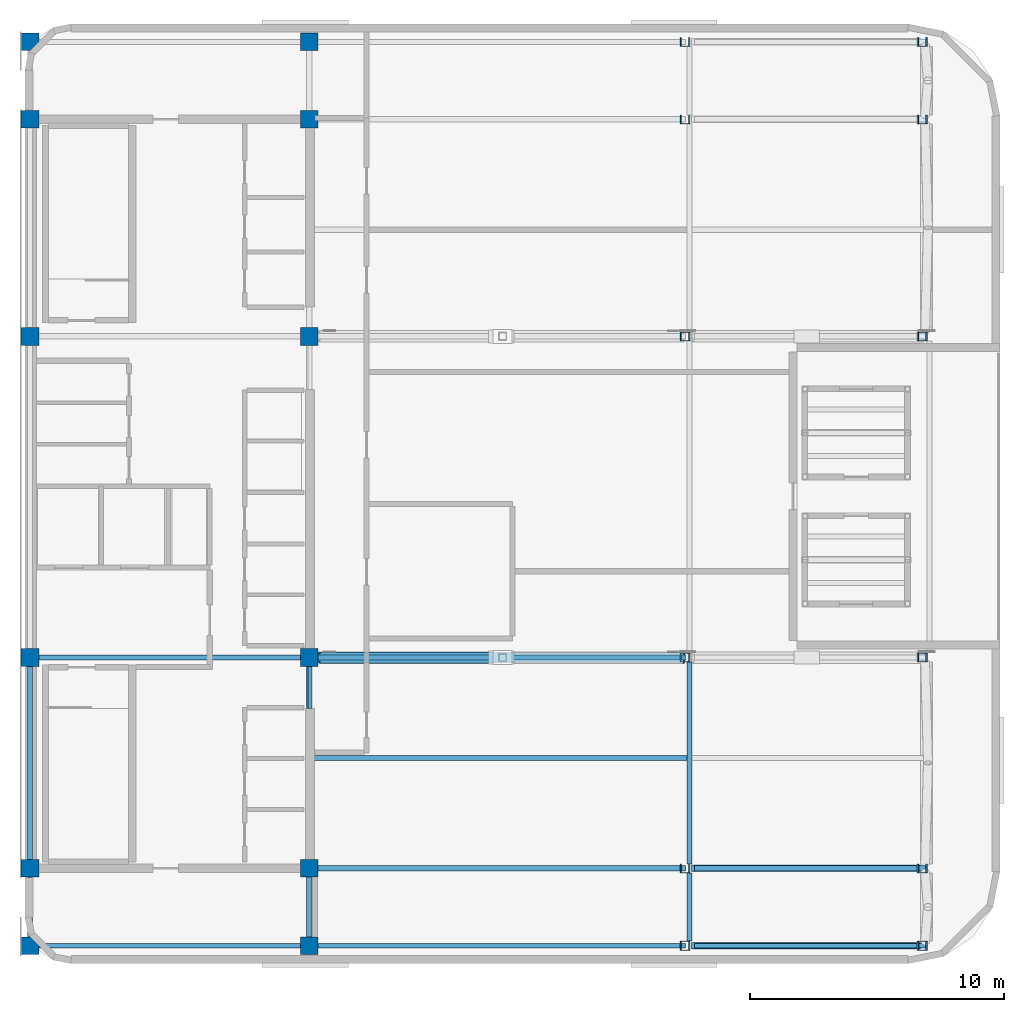
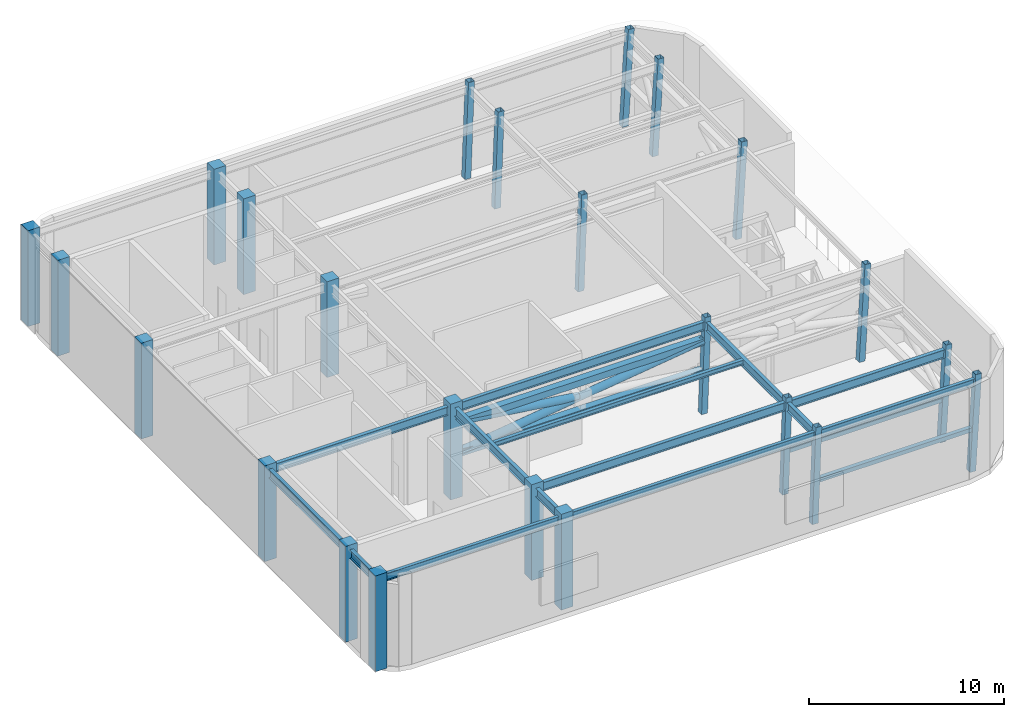
# One storey, part 1 of 12: 24 columns, 15 beams, 6 members.
"""IFC4 building model written with IfcOpenShell, lengths in metres."""

from ifc_helpers import new_model, si_unit, direction, frame, origin, origin_2d, place, context, subcontext, project, spatial, rectangle, hollow_rectangle, hollow_circle, i_section, extrude, material, material_profile, profile_set, type_object, element, save


model = new_model("IFC4")

# Units and contexts
model_context = context("Model", 3, precision=1e-05, world=origin(), true_north=direction((0.0, 1.0)))
body_context = subcontext(model_context, "Body", "Model", "MODEL_VIEW")
ifc_project = project(units=[si_unit("LENGTHUNIT", "METRE"), si_unit("AREAUNIT", "SQUARE_METRE"), si_unit("VOLUMEUNIT", "CUBIC_METRE"), si_unit("PLANEANGLEUNIT", "RADIAN"), si_unit("MASSUNIT", "GRAM", prefix="KILO")], contexts=[model_context])

# Site, building, storey
site_placement = place(None, origin())
site = spatial("IfcSite", under=ifc_project, at=site_placement, CompositionType="ELEMENT")
building_placement = place(site_placement, origin())
building = spatial("IfcBuilding", under=site, at=building_placement, Name="Ochreholt Gables", CompositionType="ELEMENT")
storey_placement = place(building_placement, frame((0.0, 0.0, 287.0)))
storey = spatial("IfcBuildingStorey", under=building, at=storey_placement, Name="L75", CompositionType="ELEMENT", Elevation=287.0)

# Columns
ifc_material_1 = material(Name="Steel CSA G40.21 350W", Category="steel")
ifc_material_profile_1 = material_profile(ifc_material_1, hollow_rectangle(XDim=0.35595703125, YDim=0.35595703125, WallThickness=0.01611328125, at=origin_2d()), Name="HSS356X356X16")
ifc_profile_set_1 = profile_set([ifc_material_profile_1], Name="Steel CSA G40.21 350W")
column_type_1 = type_object("IfcColumnType", Name="COL-HSS356-RAK", PredefinedType="COLUMN", material=ifc_profile_set_1)
for number, where, z_axis, x_axis, name in (
    (1, (49.98095703125, 9.25, 0.0), (0.034994838926, 0.0, 0.999387493042), (0.0, 1.0, 0.0), "L75 Column EMY2"),
    (2, (49.98095703125, 17.550048828125, 0.0), (0.034994838926, 0.0, 0.999387493042), (0.0, 1.0, 0.0), "L75 Column EMY3"),
    (3, (49.98095703125, 30.199951171875, 0.0), (0.034994838926, 0.0, 0.999387493042), (0.0, 1.0, 0.0), "L75 Column EMY4"),
    (4, (49.98095703125, 38.75, 0.0), (0.034994838926, 0.0, 0.999387493042), (0.0, 1.0, 0.0), "L75 Column EMY5"),
):
    element("IfcColumn", number, at=place(storey_placement, frame(where, z_axis=z_axis, x_axis=x_axis)), inside=storey, type_object=column_type_1, Name=name, PredefinedType="COLUMN", context=body_context, shape_type="SweptSolid", body=[
        extrude(hollow_rectangle(XDim=0.35595703125, YDim=0.35595703125, WallThickness=0.01611328125, at=origin_2d()), origin(), (0.0, 0.0, 1.0), 5.999755859375),
    ])
ifc_material_profile_2 = material_profile(ifc_material_1, hollow_rectangle(XDim=0.35595703125, YDim=0.35595703125, WallThickness=0.01611328125, at=origin_2d()), Name="HSS356X356X16")
ifc_profile_set_2 = profile_set([ifc_material_profile_2], Name="Steel CSA G40.21 350W")
column_type_2 = type_object("IfcColumnType", Name="COL-HSS356-RAKE", PredefinedType="COLUMN", material=ifc_profile_set_2)
for number, where, z_axis, x_axis, name in (
    (5, (49.98095703125, 6.199951171875, 0.0), (0.034994838926, 0.0, 0.999387493042), (0.0, 1.0, 0.0), "L75 Column EMY1"),
    (6, (49.98095703125, 41.800048828125, 0.0), (0.034994838926, 0.0, 0.999387493042), (0.0, 1.0, 0.0), "L75 Column EMY6"),
):
    element("IfcColumn", number, at=place(storey_placement, frame(where, z_axis=z_axis, x_axis=x_axis)), inside=storey, type_object=column_type_2, Name=name, PredefinedType="COLUMN", context=body_context, shape_type="SweptSolid", body=[
        extrude(hollow_rectangle(XDim=0.35595703125, YDim=0.35595703125, WallThickness=0.01611328125, at=origin_2d()), origin(), (0.0, 0.0, 1.0), 5.999755859375),
    ])
for number, where, z_axis, x_axis, name in (
    (7, (59.302734375, 6.199951171875, 0.0), (0.057964267381, 0.0, 0.998318658399), (0.0, 1.0, 0.0), "L75 Column EEY1"),
    (8, (59.302734375, 9.25, 0.0), (0.057964267381, 0.0, 0.998318658399), (0.0, 1.0, 0.0), "L75 Column EEY2"),
    (9, (59.302734375, 17.550048828125, 0.0), (0.057964267381, 0.0, 0.998318658399), (0.0, 1.0, 0.0), "L75 Column EEY3"),
    (10, (59.302734375, 30.199951171875, 0.0), (0.057964267381, 0.0, 0.998318658399), (0.0, 1.0, 0.0), "L75 Column EEY4"),
    (11, (59.302734375, 38.75, 0.0), (0.057964267381, 0.0, 0.998318658399), (0.0, 1.0, 0.0), "L75 Column EEY5"),
    (12, (59.302734375, 41.800048828125, 0.0), (0.057964267381, 0.0, 0.998318658399), (0.0, 1.0, 0.0), "L75 Column EEY6"),
):
    element("IfcColumn", number, at=place(storey_placement, frame(where, z_axis=z_axis, x_axis=x_axis)), inside=storey, type_object=column_type_2, Name=name, PredefinedType="COLUMN", context=body_context, shape_type="SweptSolid", body=[
        extrude(hollow_rectangle(XDim=0.35595703125, YDim=0.35595703125, WallThickness=0.01611328125, at=origin_2d()), origin(), (0.0, 0.0, 1.0), 6.006103515625),
    ])
ifc_material_2 = material(Name="Concrete 50 MPa", Category="concrete")
ifc_material_profile_3 = material_profile(ifc_material_2, rectangle(XDim=0.699951171875, YDim=0.699951171875, at=origin_2d()), Name="RC700X700")
ifc_profile_set_3 = profile_set([ifc_material_profile_3], Name="Concrete 50 MPa")
column_type_3 = type_object("IfcColumnType", Name="COL-RC700-EXT", PredefinedType="COLUMN", material=ifc_profile_set_3)
for number, where, z_axis, x_axis, name in (
    (13, (24.199951171875, 6.199951171875, 0.0), (0.0, 0.0, 1.0), (1.0, 0.0, 0.0), "L75 Column C1Y1"),
    (14, (24.199951171875, 9.25, 0.0), (0.0, 0.0, 1.0), (1.0, 0.0, 0.0), "L75 Column C1Y2"),
    (15, (24.199951171875, 17.550048828125, 0.0), (0.0, 0.0, 1.0), (1.0, 0.0, 0.0), "L75 Column C1Y3"),
    (16, (24.199951171875, 30.199951171875, 0.0), (0.0, 0.0, 1.0), (1.0, 0.0, 0.0), "L75 Column C1Y4"),
    (17, (24.199951171875, 38.75, 0.0), (0.0, 0.0, 1.0), (1.0, 0.0, 0.0), "L75 Column C1Y5"),
    (18, (24.199951171875, 41.800048828125, 0.0), (0.0, 0.0, 1.0), (1.0, 0.0, 0.0), "L75 Column C1Y6"),
    (19, (35.199951171875, 6.199951171875, 0.0), (0.0, 0.0, 1.0), (1.0, 0.0, 0.0), "L75 Column C2Y1"),
    (20, (35.199951171875, 41.800048828125, 0.0), (0.0, 0.0, 1.0), (1.0, 0.0, 0.0), "L75 Column C2Y6"),
):
    element("IfcColumn", number, at=place(storey_placement, frame(where, z_axis=z_axis, x_axis=x_axis)), inside=storey, type_object=column_type_3, Name=name, PredefinedType="COLUMN", context=body_context, shape_type="SweptSolid", body=[
        extrude(rectangle(XDim=0.699951171875, YDim=0.699951171875, at=origin_2d()), origin(), (0.0, 0.0, 1.0), 5.99609375),
    ])
ifc_material_profile_4 = material_profile(ifc_material_2, rectangle(XDim=0.699951171875, YDim=0.699951171875, at=origin_2d()), Name="RC700X700")
ifc_profile_set_4 = profile_set([ifc_material_profile_4], Name="Concrete 50 MPa")
column_type_4 = type_object("IfcColumnType", Name="COL-RC700-INT", PredefinedType="COLUMN", material=ifc_profile_set_4)
for number, where, z_axis, x_axis, name in (
    (21, (35.199951171875, 9.25, 0.0), (0.0, 0.0, 1.0), (1.0, 0.0, 0.0), "L75 Column C2Y2"),
    (22, (35.199951171875, 17.550048828125, 0.0), (0.0, 0.0, 1.0), (1.0, 0.0, 0.0), "L75 Column C2Y3"),
    (23, (35.199951171875, 30.199951171875, 0.0), (0.0, 0.0, 1.0), (1.0, 0.0, 0.0), "L75 Column C2Y4"),
    (24, (35.199951171875, 38.75, 0.0), (0.0, 0.0, 1.0), (1.0, 0.0, 0.0), "L75 Column C2Y5"),
):
    element("IfcColumn", number, at=place(storey_placement, frame(where, z_axis=z_axis, x_axis=x_axis)), inside=storey, type_object=column_type_4, Name=name, PredefinedType="COLUMN", context=body_context, shape_type="SweptSolid", body=[
        extrude(rectangle(XDim=0.699951171875, YDim=0.699951171875, at=origin_2d()), origin(), (0.0, 0.0, 1.0), 5.99609375),
    ])

# Beams
ifc_material_profile_5 = material_profile(ifc_material_1, i_section(OverallWidth=0.2109375, OverallDepth=0.5390625, WebThickness=0.01171875, FlangeThickness=0.018798828125, at=origin_2d()), Name="W530X109")
ifc_profile_set_5 = profile_set([ifc_material_profile_5], Name="Steel CSA G40.21 350W")
beam_type_1 = type_object("IfcBeamType", Name="BM-G-W530A", PredefinedType="BEAM", material=ifc_profile_set_5)
beam_1_placement = place(storey_placement, frame((35.549560546875, 9.25, 5.430419921875), z_axis=(1.0, 0.0, 0.0), x_axis=(0.0, 1.0, 0.0)))
element("IfcBeam", 25, at=beam_1_placement, inside=storey, type_object=beam_type_1, Name="L75 Beam TBG-L75-C2EM-Y2", PredefinedType="BEAM", context=body_context, shape_type="SweptSolid", body=[
    extrude(i_section(OverallWidth=0.2109375, OverallDepth=0.5390625, WebThickness=0.01171875, FlangeThickness=0.018798828125, at=origin_2d()), origin(), (0.0, 0.0, 1.0), 14.4638671875),
])
beam_2_placement = place(storey_placement, frame((50.36865234375, 9.25, 5.430419921875), z_axis=(1.0, 0.0, 0.0), x_axis=(0.0, 1.0, 0.0)))
element("IfcBeam", 26, at=beam_2_placement, inside=storey, type_object=beam_type_1, Name="L75 Beam TBG-L75-EMEE-Y2", PredefinedType="BEAM", context=body_context, shape_type="SweptSolid", body=[
    extrude(i_section(OverallWidth=0.2109375, OverallDepth=0.5390625, WebThickness=0.01171875, FlangeThickness=0.018798828125, at=origin_2d()), origin(), (0.0, 0.0, 1.0), 9.1044921875),
])
beam_3_placement = place(storey_placement, frame((24.549560546875, 17.550048828125, 5.430419921875), z_axis=(1.0, 0.0, 0.0), x_axis=(0.0, 1.0, 0.0)))
element("IfcBeam", 27, at=beam_3_placement, inside=storey, type_object=beam_type_1, Name="L75 Beam TBG-L75-C1C2-Y3", PredefinedType="BEAM", context=body_context, shape_type="SweptSolid", body=[
    extrude(i_section(OverallWidth=0.2109375, OverallDepth=0.5390625, WebThickness=0.01171875, FlangeThickness=0.018798828125, at=origin_2d()), origin(), (0.0, 0.0, 1.0), 10.30078125),
])
beam_4_placement = place(storey_placement, frame((35.549560546875, 17.550048828125, 5.430419921875), z_axis=(1.0, 0.0, 0.0), x_axis=(0.0, 1.0, 0.0)))
element("IfcBeam", 28, at=beam_4_placement, inside=storey, type_object=beam_type_1, Name="L75 Beam TBG-L75-C2EM-Y3", PredefinedType="BEAM", context=body_context, shape_type="SweptSolid", body=[
    extrude(i_section(OverallWidth=0.2109375, OverallDepth=0.5390625, WebThickness=0.01171875, FlangeThickness=0.018798828125, at=origin_2d()), origin(), (0.0, 0.0, 1.0), 14.4638671875),
])
beam_5_placement = place(storey_placement, frame((24.199951171875, 6.549560546875, 5.430419921875), z_axis=(0.0, 1.0, 0.0), x_axis=(-1.0, 0.0, 0.0)))
element("IfcBeam", 29, at=beam_5_placement, inside=storey, type_object=beam_type_1, Name="L75 Beam TBN-L75-C1-Y1Y2", PredefinedType="BEAM", context=body_context, shape_type="SweptSolid", body=[
    extrude(i_section(OverallWidth=0.2109375, OverallDepth=0.5390625, WebThickness=0.01171875, FlangeThickness=0.018798828125, at=origin_2d()), origin(), (0.0, 0.0, 1.0), 2.350830078125),
])
beam_6_placement = place(storey_placement, frame((24.199951171875, 9.599609375, 5.430419921875), z_axis=(0.0, 1.0, 0.0), x_axis=(-1.0, 0.0, 0.0)))
element("IfcBeam", 30, at=beam_6_placement, inside=storey, type_object=beam_type_1, Name="L75 Beam TBN-L75-C1-Y2Y3", PredefinedType="BEAM", context=body_context, shape_type="SweptSolid", body=[
    extrude(i_section(OverallWidth=0.2109375, OverallDepth=0.5390625, WebThickness=0.01171875, FlangeThickness=0.018798828125, at=origin_2d()), origin(), (0.0, 0.0, 1.0), 7.600830078125),
])
beam_7_placement = place(storey_placement, frame((35.199951171875, 6.549560546875, 5.430419921875), z_axis=(0.0, 1.0, 0.0), x_axis=(-1.0, 0.0, 0.0)))
element("IfcBeam", 31, at=beam_7_placement, inside=storey, type_object=beam_type_1, Name="L75 Beam TBN-L75-C2-Y1Y2", PredefinedType="BEAM", context=body_context, shape_type="SweptSolid", body=[
    extrude(i_section(OverallWidth=0.2109375, OverallDepth=0.5390625, WebThickness=0.01171875, FlangeThickness=0.018798828125, at=origin_2d()), origin(), (0.0, 0.0, 1.0), 2.350830078125),
])
beam_8_placement = place(storey_placement, frame((35.199951171875, 9.599609375, 5.430419921875), z_axis=(0.0, 1.0, 0.0), x_axis=(-1.0, 0.0, 0.0)))
element("IfcBeam", 32, at=beam_8_placement, inside=storey, type_object=beam_type_1, Name="L75 Beam TBN-L75-C2-Y2Y3", PredefinedType="BEAM", context=body_context, shape_type="SweptSolid", body=[
    extrude(i_section(OverallWidth=0.2109375, OverallDepth=0.5390625, WebThickness=0.01171875, FlangeThickness=0.018798828125, at=origin_2d()), origin(), (0.0, 0.0, 1.0), 7.600830078125),
])
beam_9_placement = place(storey_placement, frame((50.171875, 6.377685546875, 5.430419921875), z_axis=(0.0, 1.0, 0.0), x_axis=(-1.0, 0.0, 0.0)))
element("IfcBeam", 33, at=beam_9_placement, inside=storey, type_object=beam_type_1, Name="L75 Beam TBN-L75-EM-Y1Y2", PredefinedType="BEAM", context=body_context, shape_type="SweptSolid", body=[
    extrude(i_section(OverallWidth=0.2109375, OverallDepth=0.5390625, WebThickness=0.01171875, FlangeThickness=0.018798828125, at=origin_2d()), origin(), (0.0, 0.0, 1.0), 2.69482421875),
])
beam_10_placement = place(storey_placement, frame((50.171875, 9.427490234375, 5.430419921875), z_axis=(0.0, 1.0, 0.0), x_axis=(-1.0, 0.0, 0.0)))
element("IfcBeam", 34, at=beam_10_placement, inside=storey, type_object=beam_type_1, Name="L75 Beam TBN-L75-EM-Y2Y3", PredefinedType="BEAM", context=body_context, shape_type="SweptSolid", body=[
    extrude(i_section(OverallWidth=0.2109375, OverallDepth=0.5390625, WebThickness=0.01171875, FlangeThickness=0.018798828125, at=origin_2d()), origin(), (0.0, 0.0, 1.0), 7.94482421875),
])
ifc_material_profile_6 = material_profile(ifc_material_1, i_section(OverallWidth=0.202880859375, OverallDepth=0.302978515625, WebThickness=0.007568359375, FlangeThickness=0.01318359375, at=origin_2d()), Name="W310X60")
ifc_profile_set_6 = profile_set([ifc_material_profile_6], Name="Steel CSA G40.21 350W")
beam_type_2 = type_object("IfcBeamType", Name="BM-J-W310", PredefinedType="JOIST", material=ifc_profile_set_6)
beam_11_placement = place(storey_placement, frame((35.30517578125, 13.60009765625, 5.548583984375), z_axis=(1.0, 0.0, 0.0), x_axis=(0.0, 1.0, 0.0)))
element("IfcBeam", 35, at=beam_11_placement, inside=storey, type_object=beam_type_2, Name="L75 Beam TBJ-L75-J1-C2EM", PredefinedType="JOIST", context=body_context, shape_type="SweptSolid", body=[
    extrude(i_section(OverallWidth=0.202880859375, OverallDepth=0.302978515625, WebThickness=0.007568359375, FlangeThickness=0.01318359375, at=origin_2d()), origin(), (0.0, 0.0, 1.0), 14.761474609375),
])
ifc_material_profile_7 = material_profile(ifc_material_1, i_section(OverallWidth=0.1650390625, OverallDepth=0.200927734375, WebThickness=0.006103515625, FlangeThickness=0.01025390625, at=origin_2d()), Name="W200X36")
ifc_profile_set_7 = profile_set([ifc_material_profile_7], Name="Steel CSA G40.21 350W")
beam_type_3 = type_object("IfcBeamType", Name="BM-LIN-W200", PredefinedType="LINTEL", material=ifc_profile_set_7)
beam_12_placement = place(storey_placement, frame((35.22509765625, 15.550048828125, 5.060546875), z_axis=(0.0, 1.0, 0.0), x_axis=(-1.0, 0.0, 0.0)))
element("IfcBeam", 36, at=beam_12_placement, inside=storey, type_object=beam_type_3, Name="L75 Core Coupling Lintel CPS", PredefinedType="LINTEL", context=body_context, shape_type="SweptSolid", body=[
    extrude(i_section(OverallWidth=0.1650390625, OverallDepth=0.200927734375, WebThickness=0.006103515625, FlangeThickness=0.01025390625, at=origin_2d()), origin(), (0.0, 0.0, 1.0), 1.64990234375),
])
ifc_material_profile_8 = material_profile(ifc_material_1, i_section(OverallWidth=0.19189453125, OverallDepth=0.462890625, WebThickness=0.010498046875, FlangeThickness=0.017578125, at=origin_2d()), Name="W460X89")
ifc_profile_set_8 = profile_set([ifc_material_profile_8], Name="Steel CSA G40.21 350W")
beam_type_4 = type_object("IfcBeamType", Name="BM-SP-W460A", PredefinedType="SPANDREL", material=ifc_profile_set_8)
beam_13_placement = place(storey_placement, frame((24.549560546875, 6.199951171875, 5.468505859375), z_axis=(1.0, 0.0, 0.0), x_axis=(0.0, 1.0, 0.0)))
element("IfcBeam", 37, at=beam_13_placement, inside=storey, type_object=beam_type_4, Name="L75 Beam TBG-L75-C1C2-Y1", PredefinedType="SPANDREL", context=body_context, shape_type="SweptSolid", body=[
    extrude(i_section(OverallWidth=0.19189453125, OverallDepth=0.462890625, WebThickness=0.010498046875, FlangeThickness=0.017578125, at=origin_2d()), origin(), (0.0, 0.0, 1.0), 10.30078125),
])
beam_14_placement = place(storey_placement, frame((35.549560546875, 6.199951171875, 5.468505859375), z_axis=(1.0, 0.0, 0.0), x_axis=(0.0, 1.0, 0.0)))
element("IfcBeam", 38, at=beam_14_placement, inside=storey, type_object=beam_type_4, Name="L75 Beam TBG-L75-C2EM-Y1", PredefinedType="SPANDREL", context=body_context, shape_type="SweptSolid", body=[
    extrude(i_section(OverallWidth=0.19189453125, OverallDepth=0.462890625, WebThickness=0.010498046875, FlangeThickness=0.017578125, at=origin_2d()), origin(), (0.0, 0.0, 1.0), 14.4638671875),
])
beam_15_placement = place(storey_placement, frame((50.36865234375, 6.199951171875, 5.468505859375), z_axis=(1.0, 0.0, 0.0), x_axis=(0.0, 1.0, 0.0)))
element("IfcBeam", 39, at=beam_15_placement, inside=storey, type_object=beam_type_4, Name="L75 Beam TBG-L75-EMEE-Y1", PredefinedType="SPANDREL", context=body_context, shape_type="SweptSolid", body=[
    extrude(i_section(OverallWidth=0.19189453125, OverallDepth=0.462890625, WebThickness=0.010498046875, FlangeThickness=0.017578125, at=origin_2d()), origin(), (0.0, 0.0, 1.0), 9.1044921875),
])

# Members
ifc_material_profile_9 = material_profile(ifc_material_1, hollow_circle(Radius=0.228515625, WallThickness=0.01611328125, at=origin_2d()), Name="CHS457X16")
ifc_profile_set_9 = profile_set([ifc_material_profile_9], Name="Steel CSA G40.21 350W")
member_type_1 = type_object("IfcMemberType", Name="MEM-OU-BR1", PredefinedType="BRACE", material=ifc_profile_set_9)
member_1_placement = place(storey_placement, frame((35.599609375, 17.550048828125, 2.60009765625), z_axis=(0.991182814079, 0.0, 0.132501430464), x_axis=(0.0, 1.0, 0.0)))
element("IfcMember", 40, at=member_1_placement, inside=storey, type_object=member_type_1, Name="L75 Outrigger Truss S Continuous Diagonal 1", PredefinedType="BRACE", context=body_context, shape_type="SweptSolid", body=[
    extrude(hollow_circle(Radius=0.228515625, WallThickness=0.01611328125, at=origin_2d()), origin(), (0.0, 0.0, 1.0), 14.48974609375),
])
member_2_placement = place(storey_placement, frame((42.58544921875, 17.550048828125, 3.581787109375), z_axis=(-0.991101304181, 0.0, 0.133109747395), x_axis=(0.0, -1.0, 0.0)))
element("IfcMember", 41, at=member_2_placement, inside=storey, type_object=member_type_1, Name="L75 Outrigger Truss S Split Diagonal 2B", PredefinedType="BRACE", context=body_context, shape_type="SweptSolid", body=[
    extrude(hollow_circle(Radius=0.228515625, WallThickness=0.01611328125, at=origin_2d()), origin(), (0.0, 0.0, 1.0), 7.048583984375),
])
ifc_material_profile_10 = material_profile(ifc_material_1, hollow_rectangle(XDim=0.406005859375, YDim=0.406005859375, WallThickness=0.01611328125, at=origin_2d()), Name="HSS406X406X16")
ifc_profile_set_10 = profile_set([ifc_material_profile_10], Name="Steel CSA G40.21 350W")
member_type_2 = type_object("IfcMemberType", Name="MEM-OU-CH1", PredefinedType="CHORD", material=ifc_profile_set_10)
member_3_placement = place(storey_placement, frame((35.549560546875, 17.550048828125, 2.60009765625), z_axis=(1.0, 0.0, 0.0), x_axis=(0.0, 1.0, 0.0)))
element("IfcMember", 42, at=member_3_placement, inside=storey, type_object=member_type_2, Name="L75 Outrigger Truss S Bottom Chord 1", PredefinedType="CHORD", context=body_context, shape_type="SweptSolid", body=[
    extrude(hollow_rectangle(XDim=0.406005859375, YDim=0.406005859375, WallThickness=0.01611328125, at=origin_2d()), origin(), (0.0, 0.0, 1.0), 14.3447265625),
])
member_4_placement = place(storey_placement, frame((35.549560546875, 17.550048828125, 4.52001953125), z_axis=(1.0, 0.0, 0.0), x_axis=(0.0, 1.0, 0.0)))
element("IfcMember", 43, at=member_4_placement, inside=storey, type_object=member_type_2, Name="L75 Outrigger Truss S Top Chord 1", PredefinedType="CHORD", context=body_context, shape_type="SweptSolid", body=[
    extrude(hollow_rectangle(XDim=0.406005859375, YDim=0.406005859375, WallThickness=0.01611328125, at=origin_2d()), origin(), (0.0, 0.0, 1.0), 14.412109375),
])
ifc_material_profile_11 = material_profile(ifc_material_1, hollow_rectangle(XDim=0.25390625, YDim=0.25390625, WallThickness=0.0126953125, at=origin_2d()), Name="HSS254X254X13")
ifc_profile_set_11 = profile_set([ifc_material_profile_11], Name="Steel CSA G40.21 350W")
member_type_3 = type_object("IfcMemberType", Name="MEM-TB-ST1", PredefinedType="STRUT", material=ifc_profile_set_11)
for number, where, z_axis, x_axis, name in (
    (44, (50.24951171875, 6.199951171875, 2.60009765625), (1.0, 0.0, 0.0), (0.0, 1.0, 0.0), "L75 Belt Lateral Tie Strut 1"),
    (45, (50.24951171875, 9.25, 2.60009765625), (1.0, 0.0, 0.0), (0.0, 1.0, 0.0), "L75 Belt Lateral Tie Strut 2"),
):
    element("IfcMember", number, at=place(storey_placement, frame(where, z_axis=z_axis, x_axis=x_axis)), inside=storey, type_object=member_type_3, Name=name, PredefinedType="STRUT", context=body_context, shape_type="SweptSolid", body=[
        extrude(hollow_rectangle(XDim=0.25390625, YDim=0.25390625, WallThickness=0.0126953125, at=origin_2d()), origin(), (0.0, 0.0, 1.0), 9.0263671875),
    ])

save(model, "model.ifc")
